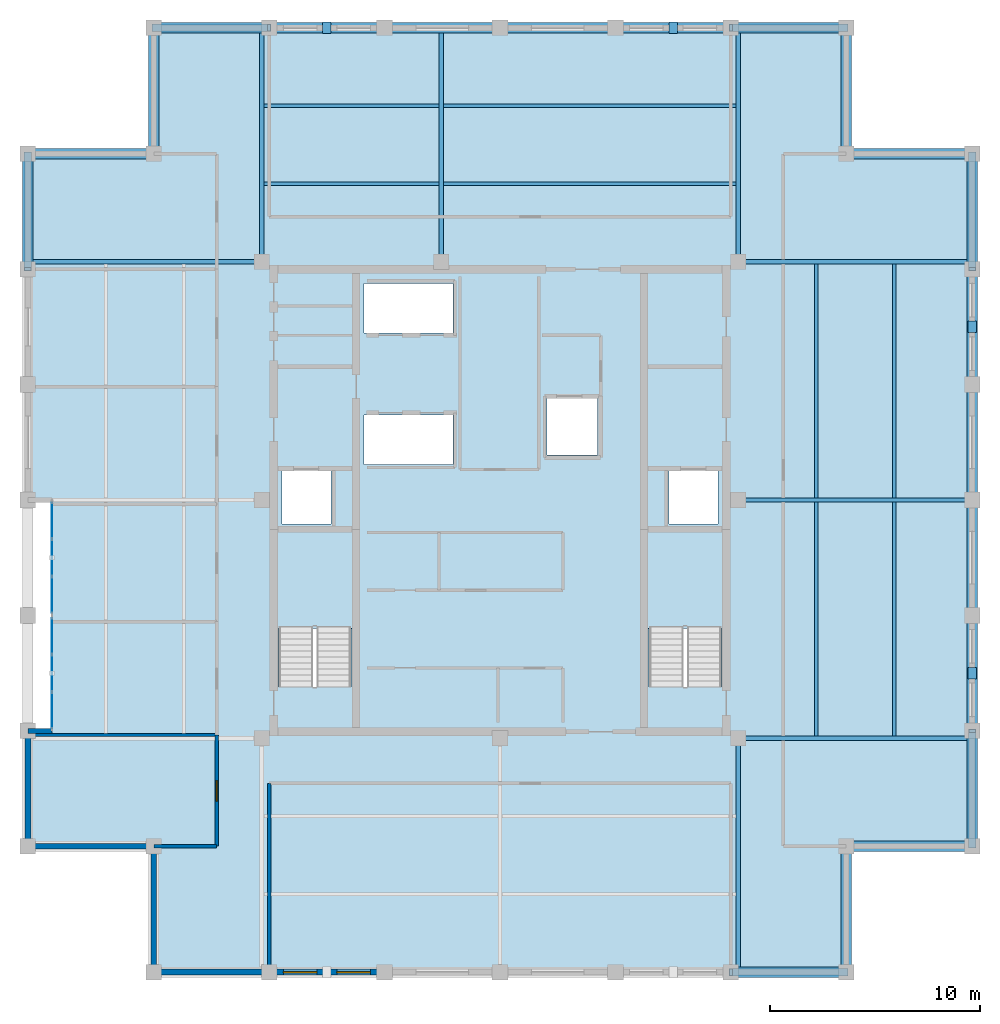
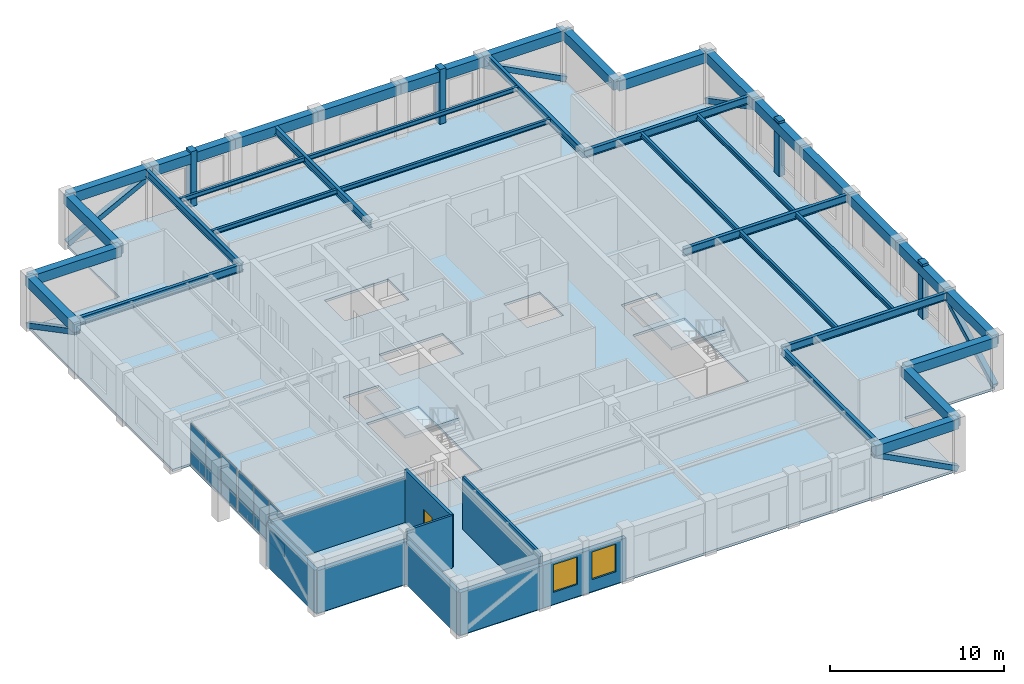
# One storey, part 5 of 10: 36 beams, 12 plates, 10 members, 10 walls, 3 slabs, 2 windows, 1 door, 3 openings, 4 elements without a shape of their own.
"""IFC4 building model written with IfcOpenShell, lengths in metres."""

from ifc_helpers import new_model, si_unit, direction, frame, frame_2d, origin, origin_2d, place, context, subcontext, project, spatial, polyline, rectangle, hollow_rectangle, i_section, outline, extrude, material, layer, layer_set, material_profile, profile_set, type_object, element, fill, aggregate, save


model = new_model("IFC4")

# Units and contexts
model_context = context("Model", 3, precision=1e-05, world=origin(), true_north=direction((0.0, 1.0)))
body_context = subcontext(model_context, "Body", "Model", "MODEL_VIEW")
ifc_project = project(units=[si_unit("LENGTHUNIT", "METRE"), si_unit("AREAUNIT", "SQUARE_METRE"), si_unit("VOLUMEUNIT", "CUBIC_METRE"), si_unit("PLANEANGLEUNIT", "RADIAN"), si_unit("MASSUNIT", "GRAM", prefix="KILO")], contexts=[model_context])

# Site, building, storey
site_placement = place(None, origin())
site = spatial("IfcSite", under=ifc_project, at=site_placement, CompositionType="ELEMENT")
building_placement = place(site_placement, origin())
building = spatial("IfcBuilding", under=site, at=building_placement, Name="Nhamokura Convention Tower", CompositionType="ELEMENT")
storey_placement = place(building_placement, frame((0.0, 0.0, 296.800048828125)))
storey = spatial("IfcBuildingStorey", under=building, at=storey_placement, Name="L73", CompositionType="ELEMENT", Elevation=296.800048828125)

# Members
ifc_material_1 = material(Name="Bronze-pigmented precast concrete C45/55", Category="concrete")
ifc_material_profile_1 = material_profile(ifc_material_1, rectangle(XDim=0.39990234375, YDim=0.550048828125, at=origin_2d()))
ifc_profile_set_1 = profile_set([ifc_material_profile_1], Name="Bronze-pigmented precast concrete C45/55")
member_type_1 = type_object("IfcMemberType", Name="BronzePilaster_550", PredefinedType="USERDEFINED", material=ifc_profile_set_1)
for number, where, z_axis, x_axis, name in (
    (1, (23.75, 54.5, 0.0), (0.0, 0.0, 1.0), (1.0, 0.0, 0.0), "L73 Engaged Frame Pilaster NORTH 1"),
    (2, (40.25, 54.5, 0.0), (0.0, 0.0, 1.0), (1.0, 0.0, 0.0), "L73 Engaged Frame Pilaster NORTH 4"),
    (3, (54.5, 23.75, 0.0), (0.0, 0.0, 1.0), (1.0, 0.0, 0.0), "L73 Engaged Frame Pilaster EAST 1"),
    (4, (54.5, 40.25, 0.0), (0.0, 0.0, 1.0), (1.0, 0.0, 0.0), "L73 Engaged Frame Pilaster EAST 4"),
):
    element("IfcMember", number, at=place(storey_placement, frame(where, z_axis=z_axis, x_axis=x_axis)), inside=storey, type_object=member_type_1, Name=name, ObjectType="PILASTER_TRIM", PredefinedType="USERDEFINED", context=body_context, shape_type="SweptSolid", body=[
        extrude(rectangle(XDim=0.39990234375, YDim=0.550048828125, at=origin_2d()), origin(), (0.0, 0.0, 1.0), 3.849853515625),
    ])

# Beams
ifc_material_2 = material(Name="Steel ASTM A992 Gr 50", Category="steel")
ifc_material_profile_2 = material_profile(ifc_material_2, i_section(OverallWidth=0.166015625, OverallDepth=0.31298828125, WebThickness=0.006591796875, FlangeThickness=0.01123046875, at=origin_2d()))
ifc_profile_set_2 = profile_set([ifc_material_profile_2], Name="Steel ASTM A992 Gr 50")
beam_type_1 = type_object("IfcBeamType", Name="FloorJoist_W310X45", PredefinedType="JOIST", material=ifc_profile_set_2)
beam_1_placement = place(storey_placement, frame((20.75244140625, 47.066650390625, 3.528564453125), z_axis=(1.0, 0.0, 0.0), x_axis=(0.0, 1.0, 0.0)))
element("IfcBeam", 5, at=beam_1_placement, inside=storey, type_object=beam_type_1, Name="L73 Composite Floor Joist N1A", PredefinedType="JOIST", context=body_context, shape_type="SweptSolid", body=[
    extrude(i_section(OverallWidth=0.166015625, OverallDepth=0.31298828125, WebThickness=0.006591796875, FlangeThickness=0.01123046875, at=origin_2d()), origin(), (0.0, 0.0, 1.0), 8.344970703125),
])
beam_2_placement = place(storey_placement, frame((29.302490234375, 47.066650390625, 3.528564453125), z_axis=(1.0, 0.0, 0.0), x_axis=(0.0, 1.0, 0.0)))
element("IfcBeam", 6, at=beam_2_placement, inside=storey, type_object=beam_type_1, Name="L73 Composite Floor Joist N1B", PredefinedType="JOIST", context=body_context, shape_type="SweptSolid", body=[
    extrude(i_section(OverallWidth=0.166015625, OverallDepth=0.31298828125, WebThickness=0.006591796875, FlangeThickness=0.01123046875, at=origin_2d()), origin(), (0.0, 0.0, 1.0), 13.945068359375),
])
beam_3_placement = place(storey_placement, frame((20.75244140625, 50.783203125, 3.528564453125), z_axis=(1.0, 0.0, 0.0), x_axis=(0.0, 1.0, 0.0)))
element("IfcBeam", 7, at=beam_3_placement, inside=storey, type_object=beam_type_1, Name="L73 Composite Floor Joist N2A", PredefinedType="JOIST", context=body_context, shape_type="SweptSolid", body=[
    extrude(i_section(OverallWidth=0.166015625, OverallDepth=0.31298828125, WebThickness=0.006591796875, FlangeThickness=0.01123046875, at=origin_2d()), origin(), (0.0, 0.0, 1.0), 8.344970703125),
])
beam_4_placement = place(storey_placement, frame((29.302490234375, 50.783203125, 3.528564453125), z_axis=(1.0, 0.0, 0.0), x_axis=(0.0, 1.0, 0.0)))
element("IfcBeam", 8, at=beam_4_placement, inside=storey, type_object=beam_type_1, Name="L73 Composite Floor Joist N2B", PredefinedType="JOIST", context=body_context, shape_type="SweptSolid", body=[
    extrude(i_section(OverallWidth=0.166015625, OverallDepth=0.31298828125, WebThickness=0.006591796875, FlangeThickness=0.01123046875, at=origin_2d()), origin(), (0.0, 0.0, 1.0), 13.945068359375),
])
for number, where, z_axis, x_axis, name in (
    (9, (47.066650390625, 20.75244140625, 3.528564453125), (0.0, 1.0, 0.0), (-1.0, 0.0, 0.0), "L73 Composite Floor Joist E1A"),
    (10, (47.066650390625, 32.1025390625, 3.528564453125), (0.0, 1.0, 0.0), (-1.0, 0.0, 0.0), "L73 Composite Floor Joist E1B"),
    (11, (50.783203125, 20.75244140625, 3.528564453125), (0.0, 1.0, 0.0), (-1.0, 0.0, 0.0), "L73 Composite Floor Joist E2A"),
    (12, (50.783203125, 32.1025390625, 3.528564453125), (0.0, 1.0, 0.0), (-1.0, 0.0, 0.0), "L73 Composite Floor Joist E2B"),
):
    element("IfcBeam", number, at=place(storey_placement, frame(where, z_axis=z_axis, x_axis=x_axis)), inside=storey, type_object=beam_type_1, Name=name, PredefinedType="JOIST", context=body_context, shape_type="SweptSolid", body=[
        extrude(i_section(OverallWidth=0.166015625, OverallDepth=0.31298828125, WebThickness=0.006591796875, FlangeThickness=0.01123046875, at=origin_2d()), origin(), (0.0, 0.0, 1.0), 11.14501953125),
    ])
ifc_material_3 = material(Name="Steel ASTM A992 Gr 50", Category="steel")
ifc_material_profile_3 = material_profile(ifc_material_3, i_section(OverallWidth=0.208984375, OverallDepth=0.532958984375, WebThickness=0.01025390625, FlangeThickness=0.015625, at=origin_2d()))
ifc_profile_set_3 = profile_set([ifc_material_profile_3], Name="Steel ASTM A992 Gr 50")
beam_type_2 = type_object("IfcBeamType", Name="PrimaryGirder_W530X92", PredefinedType="BEAM", material=ifc_profile_set_3)
for number, where, z_axis, x_axis, name in (
    (13, (43.35009765625, 9.5, 3.41845703125), (0.0, 1.0, 0.0), (-1.0, 0.0, 0.0), "L73 Primary Floor Girder PG-S3"),
    (14, (20.64990234375, 43.35009765625, 3.41845703125), (0.0, 1.0, 0.0), (-1.0, 0.0, 0.0), "L73 Primary Floor Girder PG-N1"),
    (15, (29.199951171875, 43.35009765625, 3.41845703125), (0.0, 1.0, 0.0), (-1.0, 0.0, 0.0), "L73 Primary Floor Girder PG-N2"),
    (16, (43.35009765625, 43.35009765625, 3.41845703125), (0.0, 1.0, 0.0), (-1.0, 0.0, 0.0), "L73 Primary Floor Girder PG-N3"),
    (17, (9.5, 43.35009765625, 3.41845703125), (1.0, 0.0, 0.0), (0.0, 1.0, 0.0), "L73 Primary Floor Girder PG-W3"),
    (18, (43.35009765625, 20.64990234375, 3.41845703125), (1.0, 0.0, 0.0), (0.0, 1.0, 0.0), "L73 Primary Floor Girder PG-E1"),
    (19, (43.35009765625, 32.0, 3.41845703125), (1.0, 0.0, 0.0), (0.0, 1.0, 0.0), "L73 Primary Floor Girder PG-E2"),
    (20, (43.35009765625, 43.35009765625, 3.41845703125), (1.0, 0.0, 0.0), (0.0, 1.0, 0.0), "L73 Primary Floor Girder PG-E3"),
):
    element("IfcBeam", number, at=place(storey_placement, frame(where, z_axis=z_axis, x_axis=x_axis)), inside=storey, type_object=beam_type_2, Name=name, PredefinedType="BEAM", context=body_context, shape_type="SweptSolid", body=[
        extrude(i_section(OverallWidth=0.208984375, OverallDepth=0.532958984375, WebThickness=0.01025390625, FlangeThickness=0.015625, at=origin_2d()), origin(), (0.0, 0.0, 1.0), 11.14990234375),
    ])

# Members
ifc_material_4 = material(Name="Steel ASTM A572 Gr 50", Category="steel")
ifc_material_profile_4 = material_profile(ifc_material_4, hollow_rectangle(XDim=0.35009765625, YDim=0.35009765625, WallThickness=0.01611328125, at=origin_2d()))
ifc_profile_set_4 = profile_set([ifc_material_profile_4], Name="Steel ASTM A572 Gr 50")
member_type_2 = type_object("IfcMemberType", Name="TubeBrace_HSS350", PredefinedType="BRACE", material=ifc_profile_set_4)
for number, where, z_axis, x_axis, name in (
    (21, (48.5, 9.5, 0.14990234375), (-0.885562865764, 0.0, 0.464519548328), (0.0, -1.0, 0.0), "L73 Perimeter Tube Brace SOUTH Bay 5"),
    (22, (15.5, 54.5, 0.14990234375), (0.885562865764, 0.0, 0.464519548328), (0.0, 1.0, 0.0), "L73 Perimeter Tube Brace NORTH Bay 0"),
    (23, (48.5, 54.5, 0.14990234375), (-0.885562865764, 0.0, 0.464519548328), (0.0, -1.0, 0.0), "L73 Perimeter Tube Brace NORTH Bay 5"),
    (24, (9.5, 48.5, 0.14990234375), (0.0, -0.885562865764, 0.464519548328), (1.0, 0.0, 0.0), "L73 Perimeter Tube Brace WEST Bay 5"),
    (25, (54.5, 15.5, 0.14990234375), (0.0, 0.885562865764, 0.464519548328), (-1.0, 0.0, 0.0), "L73 Perimeter Tube Brace EAST Bay 0"),
    (26, (54.5, 48.5, 0.14990234375), (0.0, -0.885562865764, 0.464519548328), (1.0, 0.0, 0.0), "L73 Perimeter Tube Brace EAST Bay 5"),
):
    element("IfcMember", number, at=place(storey_placement, frame(where, z_axis=z_axis, x_axis=x_axis)), inside=storey, type_object=member_type_2, Name=name, PredefinedType="BRACE", context=body_context, shape_type="SweptSolid", body=[
        extrude(hollow_rectangle(XDim=0.35009765625, YDim=0.35009765625, WallThickness=0.01611328125, at=origin_2d()), origin(), (0.0, 0.0, 1.0), 6.210693359375),
    ])

# Beams
ifc_material_5 = material(Name="Concrete C50/60", Category="concrete")
ifc_material_profile_5 = material_profile(ifc_material_5, rectangle(XDim=0.5, YDim=0.699951171875, at=origin_2d()))
ifc_profile_set_5 = profile_set([ifc_material_profile_5], Name="Concrete C50/60")
beam_type_3 = type_object("IfcBeamType", Name="TubeSpandrel_700", PredefinedType="SPANDREL", material=ifc_profile_set_5)
for number, where, z_axis, x_axis, name in (
    (27, (43.0, 9.5, 3.3349609375), (1.0, 0.0, 0.0), (0.0, 1.0, 0.0), "L73 Perimeter Spandrel SOUTH 6"),
    (28, (15.5, 54.5, 3.3349609375), (1.0, 0.0, 0.0), (0.0, 1.0, 0.0), "L73 Perimeter Spandrel NORTH 1"),
    (29, (21.0, 54.5, 3.3349609375), (1.0, 0.0, 0.0), (0.0, 1.0, 0.0), "L73 Perimeter Spandrel NORTH 2"),
    (30, (26.5, 54.5, 3.3349609375), (1.0, 0.0, 0.0), (0.0, 1.0, 0.0), "L73 Perimeter Spandrel NORTH 3"),
    (31, (32.0, 54.5, 3.3349609375), (1.0, 0.0, 0.0), (0.0, 1.0, 0.0), "L73 Perimeter Spandrel NORTH 4"),
    (32, (37.5, 54.5, 3.3349609375), (1.0, 0.0, 0.0), (0.0, 1.0, 0.0), "L73 Perimeter Spandrel NORTH 5"),
    (33, (43.0, 54.5, 3.3349609375), (1.0, 0.0, 0.0), (0.0, 1.0, 0.0), "L73 Perimeter Spandrel NORTH 6"),
    (34, (9.5, 43.0, 3.3349609375), (0.0, 1.0, 0.0), (-1.0, 0.0, 0.0), "L73 Perimeter Spandrel WEST 6"),
    (35, (54.5, 15.5, 3.3349609375), (0.0, 1.0, 0.0), (-1.0, 0.0, 0.0), "L73 Perimeter Spandrel EAST 1"),
    (36, (54.5, 21.0, 3.3349609375), (0.0, 1.0, 0.0), (-1.0, 0.0, 0.0), "L73 Perimeter Spandrel EAST 2"),
    (37, (54.5, 26.5, 3.3349609375), (0.0, 1.0, 0.0), (-1.0, 0.0, 0.0), "L73 Perimeter Spandrel EAST 3"),
    (38, (54.5, 32.0, 3.3349609375), (0.0, 1.0, 0.0), (-1.0, 0.0, 0.0), "L73 Perimeter Spandrel EAST 4"),
    (39, (54.5, 37.5, 3.3349609375), (0.0, 1.0, 0.0), (-1.0, 0.0, 0.0), "L73 Perimeter Spandrel EAST 5"),
    (40, (54.5, 43.0, 3.3349609375), (0.0, 1.0, 0.0), (-1.0, 0.0, 0.0), "L73 Perimeter Spandrel EAST 6"),
):
    element("IfcBeam", number, at=place(storey_placement, frame(where, z_axis=z_axis, x_axis=x_axis)), inside=storey, type_object=beam_type_3, Name=name, PredefinedType="SPANDREL", context=body_context, shape_type="SweptSolid", body=[
        extrude(rectangle(XDim=0.5, YDim=0.699951171875, at=origin_2d()), origin(), (0.0, 0.0, 1.0), 5.5),
    ])
for number, where, z_axis, x_axis, name in (
    (41, (48.5, 9.5, 3.3349609375), (0.0, 1.0, 0.0), (-1.0, 0.0, 0.0), "L73 Notch Spandrel SE1"),
    (42, (48.5, 15.5, 3.3349609375), (1.0, 0.0, 0.0), (0.0, 1.0, 0.0), "L73 Notch Spandrel SE2"),
    (43, (54.5, 48.5, 3.3349609375), (-1.0, 0.0, 0.0), (0.0, -1.0, 0.0), "L73 Notch Spandrel NE1"),
    (44, (48.5, 48.5, 3.3349609375), (0.0, 1.0, 0.0), (-1.0, 0.0, 0.0), "L73 Notch Spandrel NE2"),
    (45, (15.5, 54.5, 3.3349609375), (0.0, -1.0, 0.0), (1.0, 0.0, 0.0), "L73 Notch Spandrel NW1"),
    (46, (15.5, 48.5, 3.3349609375), (-1.0, 0.0, 0.0), (0.0, -1.0, 0.0), "L73 Notch Spandrel NW2"),
):
    element("IfcBeam", number, at=place(storey_placement, frame(where, z_axis=z_axis, x_axis=x_axis)), inside=storey, type_object=beam_type_3, Name=name, PredefinedType="SPANDREL", context=body_context, shape_type="SweptSolid", body=[
        extrude(rectangle(XDim=0.5, YDim=0.699951171875, at=origin_2d()), origin(), (0.0, 0.0, 1.0), 6.0),
    ])

# Curtain wall, plates
ifc_material_6 = material(Name="Anodised bronze aluminium AA6063-T6", Category="aluminium")
ifc_layer_1 = layer(ifc_material_6, 0.155029296875)
ifc_layer_set_1 = layer_set([ifc_layer_1], Name="CWSystem_ScaleSlot_Zone3")
curtain_wall_type = type_object("IfcCurtainWallType", Name="CWSystem_ScaleSlot_Zone3", PredefinedType="NOTDEFINED", material=ifc_layer_set_1)
curtain_wall_1_placement = place(storey_placement, origin())
curtain_wall_1 = element("IfcCurtainWall", 47, at=curtain_wall_1_placement, inside=storey, type_object=curtain_wall_type, Name="L73 Curtain Wall ENV-L73-SLOT-W1", PredefinedType="NOTDEFINED")
ifc_material_7 = material(Name="Solar-control bronze low-E double glass", Category="glass")
ifc_layer_2 = layer(ifc_material_7, 0.0400390625)
ifc_layer_set_2 = layer_set([ifc_layer_2], Name="CWGlazedPanel_3")
plate_type = type_object("IfcPlateType", Name="CWGlazedPanel_3", PredefinedType="CURTAIN_PANEL", material=ifc_layer_set_2)
plate_1_placement = place(storey_placement, frame((10.64990234375, 21.972900390625, 0.06494140625), z_axis=(0.0, 0.0, 1.0), x_axis=(0.0, 1.0, 0.0)))
plate_1 = element("IfcPlate", 48, at=plate_1_placement, type_object=plate_type, Name="CW-05 panel 1.1", PredefinedType="CURTAIN_PANEL", context=body_context, shape_type="SweptSolid", body=[
    extrude(rectangle(XDim=1.69580078125, YDim=0.0400390625, at=origin_2d()), origin(), (0.0, 0.0, 1.0), 0.8525390625),
])
plate_2_placement = place(storey_placement, frame((10.64990234375, 21.972900390625, 0.982421875), z_axis=(0.0, 0.0, 1.0), x_axis=(0.0, 1.0, 0.0)))
plate_2 = element("IfcPlate", 49, at=plate_2_placement, type_object=plate_type, Name="CW-05 panel 1.2", PredefinedType="CURTAIN_PANEL", context=body_context, shape_type="SweptSolid", body=[
    extrude(rectangle(XDim=1.69580078125, YDim=0.0400390625, at=origin_2d()), origin(), (0.0, 0.0, 1.0), 1.9375),
])
plate_3_placement = place(storey_placement, frame((10.64990234375, 23.75, 0.06494140625), z_axis=(0.0, 0.0, 1.0), x_axis=(0.0, 1.0, 0.0)))
plate_3 = element("IfcPlate", 50, at=plate_3_placement, type_object=plate_type, Name="CW-05 panel 2.1", PredefinedType="CURTAIN_PANEL", context=body_context, shape_type="SweptSolid", body=[
    extrude(rectangle(XDim=1.728271484375, YDim=0.0400390625, at=origin_2d()), origin(), (0.0, 0.0, 1.0), 0.8525390625),
])
plate_4_placement = place(storey_placement, frame((10.64990234375, 23.75, 0.982421875), z_axis=(0.0, 0.0, 1.0), x_axis=(0.0, 1.0, 0.0)))
plate_4 = element("IfcPlate", 51, at=plate_4_placement, type_object=plate_type, Name="CW-05 panel 2.2", PredefinedType="CURTAIN_PANEL", context=body_context, shape_type="SweptSolid", body=[
    extrude(rectangle(XDim=1.728271484375, YDim=0.0400390625, at=origin_2d()), origin(), (0.0, 0.0, 1.0), 1.9375),
])
plate_5_placement = place(storey_placement, frame((10.64990234375, 25.527099609375, 0.06494140625), z_axis=(0.0, 0.0, 1.0), x_axis=(0.0, 1.0, 0.0)))
plate_5 = element("IfcPlate", 52, at=plate_5_placement, type_object=plate_type, Name="CW-05 panel 3.1", PredefinedType="CURTAIN_PANEL", context=body_context, shape_type="SweptSolid", body=[
    extrude(rectangle(XDim=1.69580078125, YDim=0.0400390625, at=origin_2d()), origin(), (0.0, 0.0, 1.0), 0.8525390625),
])
plate_6_placement = place(storey_placement, frame((10.64990234375, 25.527099609375, 0.982421875), z_axis=(0.0, 0.0, 1.0), x_axis=(0.0, 1.0, 0.0)))
plate_6 = element("IfcPlate", 53, at=plate_6_placement, type_object=plate_type, Name="CW-05 panel 3.2", PredefinedType="CURTAIN_PANEL", context=body_context, shape_type="SweptSolid", body=[
    extrude(rectangle(XDim=1.69580078125, YDim=0.0400390625, at=origin_2d()), origin(), (0.0, 0.0, 1.0), 1.9375),
])
aggregate(curtain_wall_1, [plate_1, plate_2, plate_3, plate_4, plate_5, plate_6])

curtain_wall_2_placement = place(storey_placement, origin())
curtain_wall_2 = element("IfcCurtainWall", 54, at=curtain_wall_2_placement, inside=storey, type_object=curtain_wall_type, Name="L73 Curtain Wall ENV-L73-SLOT-W2", PredefinedType="NOTDEFINED")
plate_7_placement = place(storey_placement, frame((10.64990234375, 27.472900390625, 0.06494140625), z_axis=(0.0, 0.0, 1.0), x_axis=(0.0, 1.0, 0.0)))
plate_7 = element("IfcPlate", 55, at=plate_7_placement, type_object=plate_type, Name="CW-05 panel 1.1", PredefinedType="CURTAIN_PANEL", context=body_context, shape_type="SweptSolid", body=[
    extrude(rectangle(XDim=1.69580078125, YDim=0.0400390625, at=origin_2d()), origin(), (0.0, 0.0, 1.0), 0.8525390625),
])
plate_8_placement = place(storey_placement, frame((10.64990234375, 27.472900390625, 0.982421875), z_axis=(0.0, 0.0, 1.0), x_axis=(0.0, 1.0, 0.0)))
plate_8 = element("IfcPlate", 56, at=plate_8_placement, type_object=plate_type, Name="CW-05 panel 1.2", PredefinedType="CURTAIN_PANEL", context=body_context, shape_type="SweptSolid", body=[
    extrude(rectangle(XDim=1.69580078125, YDim=0.0400390625, at=origin_2d()), origin(), (0.0, 0.0, 1.0), 1.9375),
])
plate_9_placement = place(storey_placement, frame((10.64990234375, 29.25, 0.06494140625), z_axis=(0.0, 0.0, 1.0), x_axis=(0.0, 1.0, 0.0)))
plate_9 = element("IfcPlate", 57, at=plate_9_placement, type_object=plate_type, Name="CW-05 panel 2.1", PredefinedType="CURTAIN_PANEL", context=body_context, shape_type="SweptSolid", body=[
    extrude(rectangle(XDim=1.728271484375, YDim=0.0400390625, at=origin_2d()), origin(), (0.0, 0.0, 1.0), 0.8525390625),
])
plate_10_placement = place(storey_placement, frame((10.64990234375, 29.25, 0.982421875), z_axis=(0.0, 0.0, 1.0), x_axis=(0.0, 1.0, 0.0)))
plate_10 = element("IfcPlate", 58, at=plate_10_placement, type_object=plate_type, Name="CW-05 panel 2.2", PredefinedType="CURTAIN_PANEL", context=body_context, shape_type="SweptSolid", body=[
    extrude(rectangle(XDim=1.728271484375, YDim=0.0400390625, at=origin_2d()), origin(), (0.0, 0.0, 1.0), 1.9375),
])
plate_11_placement = place(storey_placement, frame((10.64990234375, 31.027099609375, 0.06494140625), z_axis=(0.0, 0.0, 1.0), x_axis=(0.0, 1.0, 0.0)))
plate_11 = element("IfcPlate", 59, at=plate_11_placement, type_object=plate_type, Name="CW-05 panel 3.1", PredefinedType="CURTAIN_PANEL", context=body_context, shape_type="SweptSolid", body=[
    extrude(rectangle(XDim=1.69580078125, YDim=0.0400390625, at=origin_2d()), origin(), (0.0, 0.0, 1.0), 0.8525390625),
])
plate_12_placement = place(storey_placement, frame((10.64990234375, 31.027099609375, 0.982421875), z_axis=(0.0, 0.0, 1.0), x_axis=(0.0, 1.0, 0.0)))
plate_12 = element("IfcPlate", 60, at=plate_12_placement, type_object=plate_type, Name="CW-05 panel 3.2", PredefinedType="CURTAIN_PANEL", context=body_context, shape_type="SweptSolid", body=[
    extrude(rectangle(XDim=1.69580078125, YDim=0.0400390625, at=origin_2d()), origin(), (0.0, 0.0, 1.0), 1.9375),
])
aggregate(curtain_wall_2, [plate_7, plate_8, plate_9, plate_10, plate_11, plate_12])

# Slab
ifc_material_8 = material(Name="Concrete C40/50", Category="concrete")
ifc_layer_3 = layer(ifc_material_8, 0.1650390625)
ifc_layer_set_3 = layer_set([ifc_layer_3], Name="OfficeFloorSlab_165")
slab_type_1 = type_object("IfcSlabType", Name="OfficeFloorSlab_165", PredefinedType="FLOOR", material=ifc_layer_set_3)
slab_1_placement = place(storey_placement, frame((0.0, 0.0, -0.1650390625)))
element("IfcSlab", 61, at=slab_1_placement, inside=storey, type_object=slab_type_1, Name="L73 Structural Floor Slab", PredefinedType="FLOOR", context=body_context, shape_type="SweptSolid", body=[
    extrude(outline(polyline([(15.5, 9.5), (48.5, 9.5), (48.5, 15.5), (54.5, 15.5), (54.5, 48.5), (48.5, 48.5), (48.5, 54.5), (15.5, 54.5), (15.5, 48.5), (9.5, 48.5), (9.5, 32.0), (10.64990234375, 32.0), (10.64990234375, 21.0), (9.5, 21.0), (9.5, 15.5), (15.5, 15.5), (15.5, 9.5)]), holes=[polyline([(24.89990234375, 23.10009765625), (24.89990234375, 30.449951171875), (21.449951171875, 30.449951171875), (21.449951171875, 23.10009765625), (24.89990234375, 23.10009765625)]), polyline([(42.550048828125, 23.10009765625), (42.550048828125, 30.449951171875), (39.10009765625, 30.449951171875), (39.10009765625, 23.10009765625), (42.550048828125, 23.10009765625)]), polyline([(21.60009765625, 30.85009765625), (23.949951171875, 30.85009765625), (23.949951171875, 33.39990234375), (21.60009765625, 33.39990234375), (21.60009765625, 30.85009765625)]), polyline([(40.050048828125, 30.85009765625), (42.39990234375, 30.85009765625), (42.39990234375, 33.39990234375), (40.050048828125, 33.39990234375), (40.050048828125, 30.85009765625)]), polyline([(34.25, 34.14990234375), (36.64990234375, 34.14990234375), (36.64990234375, 36.85009765625), (34.25, 36.85009765625), (34.25, 34.14990234375)]), polyline([(25.52001953125, 33.679931640625), (29.75, 33.679931640625), (29.75, 36.050048828125), (25.52001953125, 36.050048828125), (25.52001953125, 33.679931640625)]), polyline([(25.52001953125, 39.949951171875), (29.75, 39.949951171875), (29.75, 42.320068359375), (25.52001953125, 42.320068359375), (25.52001953125, 39.949951171875)])]), origin(), (0.0, 0.0, 1.0), 0.1650390625),
])

# Stair, slab
ifc_material_9 = material(Name="Concrete C40/50", Category="concrete")
stair_type = type_object("IfcStairType", Name="TowerCoreStair_1650", PredefinedType="HALF_TURN_STAIR", material=ifc_material_9)
stair_1_placement = place(storey_placement, origin())
stair_1 = element("IfcStair", 62, at=stair_1_placement, inside=storey, type_object=stair_type, Name="L73 West Core Smokeproof Stair ST-01", PredefinedType="HALF_TURN_STAIR")
ifc_material_10 = material(Name="Concrete C40/50", Category="concrete")
ifc_layer_4 = layer(ifc_material_10, 0.199951171875)
ifc_layer_set_4 = layer_set([ifc_layer_4], Name="StairLandingSlab_200")
slab_type_2 = type_object("IfcSlabType", Name="StairLandingSlab_200", PredefinedType="LANDING", material=ifc_layer_set_4)
slab_2_placement = place(storey_placement, frame((0.0, 0.0, 1.724853515625)))
slab_2 = element("IfcSlab", 63, at=slab_2_placement, type_object=slab_type_2, Name="ST-01 landing 1", PredefinedType="LANDING", context=body_context, shape_type="SweptSolid", body=[
    extrude(outline(polyline([(24.97998046875, 25.8701171875), (24.97998046875, 30.530029296875), (21.3701171875, 30.530029296875), (21.3701171875, 25.8701171875), (24.97998046875, 25.8701171875)])), origin(), (0.0, 0.0, 1.0), 0.2001953125),
])
aggregate(stair_1, [slab_2])

stair_2_placement = place(storey_placement, origin())
stair_2 = element("IfcStair", 64, at=stair_2_placement, inside=storey, type_object=stair_type, Name="L73 East Core Smokeproof Stair ST-02", PredefinedType="HALF_TURN_STAIR")
slab_3_placement = place(storey_placement, frame((0.0, 0.0, 1.724853515625)))
slab_3 = element("IfcSlab", 65, at=slab_3_placement, type_object=slab_type_2, Name="ST-02 landing 1", PredefinedType="LANDING", context=body_context, shape_type="SweptSolid", body=[
    extrude(outline(polyline([(42.6298828125, 25.8701171875), (42.6298828125, 30.530029296875), (39.02001953125, 30.530029296875), (39.02001953125, 25.8701171875), (42.6298828125, 25.8701171875)])), origin(), (0.0, 0.0, 1.0), 0.2001953125),
])
aggregate(stair_2, [slab_3])

# Wall
ifc_material_11 = material(Name="Bronze-pigmented precast concrete C45/55", Category="concrete")
ifc_layer_5 = layer(ifc_material_11, 0.280029296875)
ifc_layer_set_5 = layer_set([ifc_layer_5], Name="BronzePrecastSpandrel_280")
wall_type_1 = type_object("IfcWallType", Name="BronzePrecastSpandrel_280", PredefinedType="USERDEFINED", material=ifc_layer_set_5)
wall_1_placement = place(storey_placement, frame((21.0, 9.5, 0.0), z_axis=(0.0, 0.0, 1.0), x_axis=(-1.0, 0.0, 0.0)))
element("IfcWall", 66, at=wall_1_placement, inside=storey, type_object=wall_type_1, Name="L73 Braced-Bay Precast Wall SOUTH 0", ObjectType="SPANDREL_WALL", PredefinedType="USERDEFINED", context=body_context, shape_type="SweptSolid", body=[
    extrude(rectangle(XDim=5.5, YDim=0.280029296875, at=frame_2d((2.75, 0.0))), origin(), (0.0, 0.0, 1.0), 2.98486328125),
])

# Wall, openings, windows
wall_2_placement = place(storey_placement, frame((26.5, 9.5, 0.0), z_axis=(0.0, 0.0, 1.0), x_axis=(-1.0, 0.0, 0.0)))
wall_2 = element("IfcWall", 67, at=wall_2_placement, inside=storey, type_object=wall_type_1, Name="L73 Masonry-Frame Wall SOUTH 1", ObjectType="SPANDREL_WALL", PredefinedType="USERDEFINED", context=body_context, shape_type="SweptSolid", body=[
    extrude(rectangle(XDim=5.5, YDim=0.280029296875, at=frame_2d((2.75, 0.0))), origin(), (0.0, 0.0, 1.0), 2.98486328125),
])
opening_1_placement = place(wall_2_placement, frame((0.675048828125, 0.0, 0.85009765625)))
opening_1 = element("IfcOpeningElement", 68, at=opening_1_placement, cuts=wall_2, Name="Opening W-11", PredefinedType="OPENING", context=body_context, shape_type="SweptSolid", body=[
    extrude(rectangle(XDim=1.60009765625, YDim=1.93505859375, at=frame_2d((0.800048828125, 0.967529296875))), frame((0.0, 0.14990234375, 0.0), z_axis=(0.0, -1.0, 0.0), x_axis=(1.0, 0.0, 0.0)), (0.0, 0.0, 1.0), 0.300048828125),
])
opening_2_placement = place(wall_2_placement, frame((3.22509765625, 0.0, 0.85009765625)))
opening_2 = element("IfcOpeningElement", 69, at=opening_2_placement, cuts=wall_2, Name="Opening W-11", PredefinedType="OPENING", context=body_context, shape_type="SweptSolid", body=[
    extrude(rectangle(XDim=1.60009765625, YDim=1.93505859375, at=frame_2d((0.800048828125, 0.967529296875))), frame((0.0, 0.14990234375, 0.0), z_axis=(0.0, -1.0, 0.0), x_axis=(1.0, 0.0, 0.0)), (0.0, 0.0, 1.0), 0.300048828125),
])
ifc_material_12 = material(Name="Solar-control bronze low-E double glass", Category="glass")
window_type = type_object("IfcWindowType", Name="NotchCornerWindow_1600", PartitioningType="SINGLE_PANEL", PredefinedType="WINDOW", material=ifc_material_12)
window_1_placement = place(opening_1_placement, origin())
window_1 = element("IfcWindow", 70, at=window_1_placement, inside=storey, type_object=window_type, Name="L73 Facade Window SOUTH 1-1", OverallHeight=1.93505859375, OverallWidth=1.60009765625, PartitioningType="SINGLE_PANEL", PredefinedType="WINDOW", context=body_context, shape_type="SweptSolid", body=[
    extrude(rectangle(XDim=1.60009765625, YDim=1.93505859375, at=frame_2d((0.800048828125, 0.967529296875))), frame((0.0, 0.030029296875, 0.0), z_axis=(0.0, -1.0, 0.0), x_axis=(1.0, 0.0, 0.0)), (0.0, 0.0, 1.0), 0.06005859375),
])
fill(opening_1, window_1)
window_2_placement = place(opening_2_placement, origin())
window_2 = element("IfcWindow", 71, at=window_2_placement, inside=storey, type_object=window_type, Name="L73 Facade Window SOUTH 1-2", OverallHeight=1.93505859375, OverallWidth=1.60009765625, PartitioningType="SINGLE_PANEL", PredefinedType="WINDOW", context=body_context, shape_type="SweptSolid", body=[
    extrude(rectangle(XDim=1.60009765625, YDim=1.93505859375, at=frame_2d((0.800048828125, 0.967529296875))), frame((0.0, 0.030029296875, 0.0), z_axis=(0.0, -1.0, 0.0), x_axis=(1.0, 0.0, 0.0)), (0.0, 0.0, 1.0), 0.06005859375),
])
fill(opening_2, window_2)

# Walls
wall_3_placement = place(storey_placement, frame((9.5, 21.0, 0.0), z_axis=(0.0, 0.0, 1.0), x_axis=(1.0, 0.0, 0.0)))
element("IfcWall", 72, at=wall_3_placement, inside=storey, type_object=wall_type_1, Name="L73 Scale Slot Cheek Wall WESTA", ObjectType="SPANDREL_WALL", PredefinedType="USERDEFINED", context=body_context, shape_type="SweptSolid", body=[
    extrude(rectangle(XDim=1.14990234375, YDim=0.239990234375, at=frame_2d((0.574951171875, 0.0))), origin(), (0.0, 0.0, 1.0), 2.98486328125),
])
wall_4_placement = place(storey_placement, frame((9.5, 15.5, 0.0), z_axis=(0.0, 0.0, 1.0), x_axis=(0.0, 1.0, 0.0)))
element("IfcWall", 73, at=wall_4_placement, inside=storey, type_object=wall_type_1, Name="L73 Braced-Bay Precast Wall WEST 0", ObjectType="SPANDREL_WALL", PredefinedType="USERDEFINED", context=body_context, shape_type="SweptSolid", body=[
    extrude(rectangle(XDim=5.5, YDim=0.280029296875, at=frame_2d((2.75, 0.0))), origin(), (0.0, 0.0, 1.0), 2.98486328125),
])
for number, where, z_axis, x_axis, name in (
    (74, (15.5, 9.5, 0.0), (0.0, 0.0, 1.0), (0.0, 1.0, 0.0), "L73 Notched Corner Wall SW1"),
    (75, (15.5, 15.5, 0.0), (0.0, 0.0, 1.0), (-1.0, 0.0, 0.0), "L73 Notched Corner Wall SW2"),
):
    element("IfcWall", number, at=place(storey_placement, frame(where, z_axis=z_axis, x_axis=x_axis)), inside=storey, type_object=wall_type_1, Name=name, ObjectType="SPANDREL_WALL", PredefinedType="USERDEFINED", context=body_context, shape_type="SweptSolid", body=[
        extrude(rectangle(XDim=6.0, YDim=0.280029296875, at=frame_2d((3.0, 0.0))), origin(), (0.0, 0.0, 1.0), 2.98486328125),
    ])

# Wall, opening, door
ifc_material_13 = material(Name="Fire-rated gypsum and masonry partition", Category="masonry")
ifc_layer_6 = layer(ifc_material_13, 0.179931640625)
ifc_layer_set_6 = layer_set([ifc_layer_6], Name="CorridorRatedWall_180")
wall_type_2 = type_object("IfcWallType", Name="CorridorRatedWall_180", PredefinedType="STANDARD", material=ifc_layer_set_6)
wall_5_placement = place(storey_placement, frame((18.5, 15.5, 0.0), z_axis=(0.0, 0.0, 1.0), x_axis=(0.0, 1.0, 0.0)))
wall_5 = element("IfcWall", 76, at=wall_5_placement, inside=storey, type_object=wall_type_2, Name="L73 Wall INT-L73-CW-W00", PredefinedType="STANDARD", context=body_context, shape_type="SweptSolid", body=[
    extrude(rectangle(XDim=5.300048828125, YDim=0.179931640625, at=frame_2d((2.64990234375, 0.0))), origin(), (0.0, 0.0, 1.0), 3.68505859375),
])
opening_3_placement = place(wall_5_placement, frame((2.14990234375, 0.0, 0.0)))
opening_3 = element("IfcOpeningElement", 77, at=opening_3_placement, cuts=wall_5, Name="Opening D-08", PredefinedType="OPENING", context=body_context, shape_type="SweptSolid", body=[
    extrude(rectangle(XDim=0.97998046875, YDim=2.199951171875, at=frame_2d((0.489990234375, 1.10009765625))), frame((0.0, 0.099853515625, 0.0), z_axis=(0.0, -1.0, 0.0), x_axis=(1.0, 0.0, 0.0)), (0.0, 0.0, 1.0), 0.199951171875),
])
ifc_material_14 = material(Name="Solid oak hardwood", Category="wood")
door_type = type_object("IfcDoorType", Name="OfficeEntryDoor_980", OperationType="NOTDEFINED", PredefinedType="DOOR", material=ifc_material_14)
door_placement = place(opening_3_placement, origin())
door = element("IfcDoor", 78, at=door_placement, inside=storey, type_object=door_type, Name="L73 Data Laboratory W01 Door", OperationType="SINGLE_SWING_LEFT", OverallHeight=2.199951171875, OverallWidth=0.97998046875, PredefinedType="DOOR", context=body_context, shape_type="SweptSolid", body=[
    extrude(rectangle(XDim=0.97998046875, YDim=2.199951171875, at=frame_2d((0.489990234375, 1.10009765625))), frame((0.0, 0.02490234375, 0.0), z_axis=(0.0, -1.0, 0.0), x_axis=(1.0, 0.0, 0.0)), (0.0, 0.0, 1.0), 0.050048828125),
])
fill(opening_3, door)

# Walls
ifc_material_15 = material(Name="Acoustic gypsum stud partition", Category="masonry")
ifc_layer_7 = layer(ifc_material_15, 0.14990234375)
ifc_layer_set_7 = layer_set([ifc_layer_7], Name="InteriorPartition_150")
wall_type_3 = type_object("IfcWallType", Name="InteriorPartition_150", PredefinedType="STANDARD", material=ifc_layer_set_7)
wall_6_placement = place(storey_placement, frame((21.0, 9.56005859375, 0.0), z_axis=(0.0, 0.0, 1.0), x_axis=(0.0, 1.0, 0.0)))
element("IfcWall", 79, at=wall_6_placement, inside=storey, type_object=wall_type_3, Name="L73 Wall INT-L73-RWL-S", PredefinedType="STANDARD", context=body_context, shape_type="SweptSolid", body=[
    extrude(rectangle(XDim=8.93994140625, YDim=0.14990234375, at=frame_2d((4.469970703125, 0.0))), origin(), (0.0, 0.0, 1.0), 3.68505859375),
])
wall_7_placement = place(storey_placement, frame((9.56005859375, 20.800048828125, 0.0), z_axis=(0.0, 0.0, 1.0), x_axis=(1.0, 0.0, 0.0)))
element("IfcWall", 80, at=wall_7_placement, inside=storey, type_object=wall_type_3, Name="L73 Wall INT-L73-RW-W01", PredefinedType="STANDARD", context=body_context, shape_type="SweptSolid", body=[
    extrude(rectangle(XDim=8.93994140625, YDim=0.14990234375, at=frame_2d((4.469970703125, 0.0))), origin(), (0.0, 0.0, 1.0), 3.139892578125),
])
wall_8_placement = place(storey_placement, frame((15.5, 15.5, 0.0), z_axis=(0.0, 0.0, 1.0), x_axis=(1.0, 0.0, 0.0)))
element("IfcWall", 81, at=wall_8_placement, inside=storey, type_object=wall_type_3, Name="L73 Wall INT-L73-VSTP-WS", PredefinedType="STANDARD", context=body_context, shape_type="SweptSolid", body=[
    extrude(rectangle(XDim=3.0, YDim=0.14990234375, at=frame_2d((1.5, 0.0))), origin(), (0.0, 0.0, 1.0), 3.68505859375),
])

save(model, "model.ifc")
